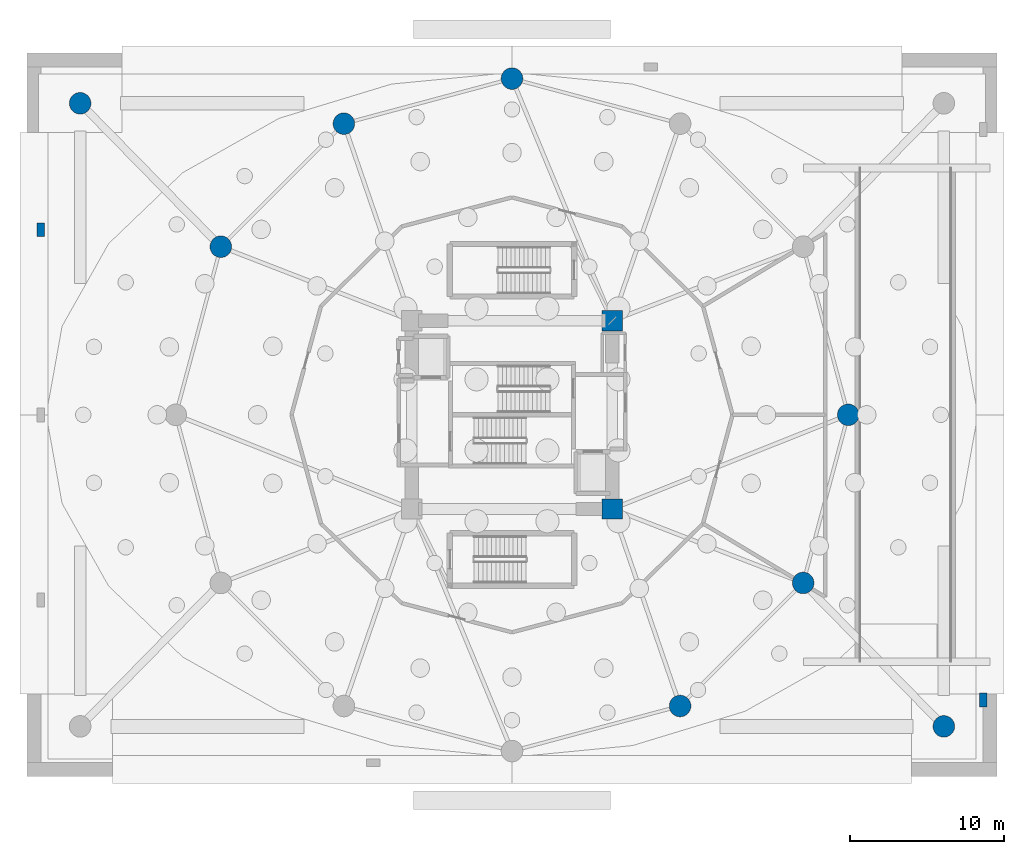
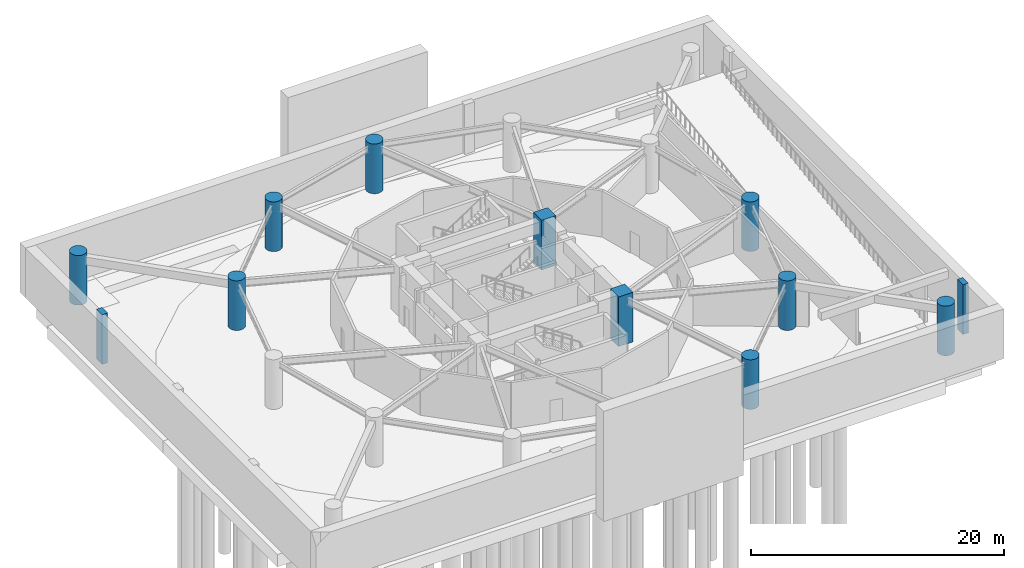
# One storey, part 3 of 12: 12 columns.
"""IFC4 building model written with IfcOpenShell, lengths in metres."""

from ifc_helpers import new_model, si_unit, direction, frame, origin, origin_2d, place, context, subcontext, project, spatial, rectangle, circle, extrude, material, material_profile, profile_set, type_object, element, save


model = new_model("IFC4")

# Units and contexts
model_context = context("Model", 3, precision=1e-05, world=origin(), true_north=direction((0.0, 1.0)))
body_context = subcontext(model_context, "Body", "Model", "MODEL_VIEW")
ifc_project = project(units=[si_unit("LENGTHUNIT", "METRE"), si_unit("AREAUNIT", "SQUARE_METRE"), si_unit("VOLUMEUNIT", "CUBIC_METRE"), si_unit("PLANEANGLEUNIT", "RADIAN"), si_unit("MASSUNIT", "GRAM", prefix="KILO")], contexts=[model_context])

# Site, building, storey
site_placement = place(None, origin())
site = spatial("IfcSite", under=ifc_project, at=site_placement, CompositionType="ELEMENT")
building_placement = place(site_placement, origin())
building = spatial("IfcBuilding", under=site, at=building_placement, Name="Solvirekh Grand Hotel", CompositionType="ELEMENT")
storey_placement = place(building_placement, frame((0.0, 0.0, -9.60009765625)))
storey = spatial("IfcBuildingStorey", under=building, at=storey_placement, Name="B02", CompositionType="ELEMENT", Elevation=-9.60009765625)

# Columns
ifc_material_1 = material(Name="Concrete C60/75", Category="concrete")
ifc_material_profile_1 = material_profile(ifc_material_1, circle(Radius=0.699951171875, at=origin_2d()), Name="RC CIRC D1400")
ifc_profile_set_1 = profile_set([ifc_material_profile_1], Name="Concrete C60/75")
column_type_1 = type_object("IfcColumnType", Name="Col_Base_D1400", PredefinedType="COLUMN", material=ifc_profile_set_1)
for number, where, z_axis, x_axis, name in (
    (1, (21.800048828125, 0.0, 0.0), (0.0, 0.0, 1.0), (1.0, 0.0, 0.0), "B02 perimeter column P01"),
    (2, (0.0, 21.800048828125, 0.0), (0.0, 0.0, 1.0), (1.0, 0.0, 0.0), "B02 perimeter column P04"),
    (3, (-10.89990234375, 18.87890625, 0.0), (0.0, 0.0, 1.0), (1.0, 0.0, 0.0), "B02 perimeter column P05"),
    (4, (-18.87890625, 10.89990234375, 0.0), (0.0, 0.0, 1.0), (1.0, 0.0, 0.0), "B02 perimeter column P06"),
    (5, (10.89990234375, -18.87890625, 0.0), (0.0, 0.0, 1.0), (1.0, 0.0, 0.0), "B02 perimeter column P11"),
    (6, (18.87890625, -10.89990234375, 0.0), (0.0, 0.0, 1.0), (1.0, 0.0, 0.0), "B02 perimeter column P12"),
    (7, (-28.0, 20.199951171875, 0.0), (0.0, 0.0, 1.0), (1.0, 0.0, 0.0), "B02 basement corner column BC-NW"),
    (8, (28.0, -20.199951171875, 0.0), (0.0, 0.0, 1.0), (1.0, 0.0, 0.0), "B02 basement corner column BC-SE"),
):
    element("IfcColumn", number, at=place(storey_placement, frame(where, z_axis=z_axis, x_axis=x_axis)), inside=storey, type_object=column_type_1, Name=name, PredefinedType="COLUMN", context=body_context, shape_type="SweptSolid", body=[
        extrude(circle(Radius=0.699951171875, at=origin_2d()), origin(), (0.0, 0.0, 1.0), 4.800048828125),
    ])
ifc_material_profile_2 = material_profile(ifc_material_1, rectangle(XDim=1.300048828125, YDim=1.300048828125, at=origin_2d()), Name="RC 1300X1300")
ifc_profile_set_2 = profile_set([ifc_material_profile_2], Name="Concrete C60/75")
column_type_2 = type_object("IfcColumnType", Name="Col_Core_1300", PredefinedType="COLUMN", material=ifc_profile_set_2)
for number, where, z_axis, x_axis, name in (
    (9, (6.5, -6.10009765625, 0.0), (0.0, 0.0, 1.0), (1.0, 0.0, 0.0), "B02 core corner column CC2"),
    (10, (6.5, 6.10009765625, 0.0), (0.0, 0.0, 1.0), (1.0, 0.0, 0.0), "B02 core corner column CC3"),
):
    element("IfcColumn", number, at=place(storey_placement, frame(where, z_axis=z_axis, x_axis=x_axis)), inside=storey, type_object=column_type_2, Name=name, PredefinedType="COLUMN", context=body_context, shape_type="SweptSolid", body=[
        extrude(rectangle(XDim=1.300048828125, YDim=1.300048828125, at=origin_2d()), origin(), (0.0, 0.0, 1.0), 4.800048828125),
    ])
ifc_material_2 = material(Name="Concrete C50/60", Category="concrete")
ifc_material_profile_3 = material_profile(ifc_material_2, rectangle(XDim=0.5, YDim=0.89990234375, at=origin_2d()), Name="RC PILASTER 900X500")
ifc_profile_set_3 = profile_set([ifc_material_profile_3], Name="Concrete C50/60")
column_type_3 = type_object("IfcColumnType", Name="Pilaster_900X500", PredefinedType="PILASTER", material=ifc_profile_set_3)
for number, where, z_axis, x_axis, name in (
    (11, (-30.550048828125, 12.0, 0.0), (0.0, 0.0, 1.0), (1.0, 0.0, 0.0), "B02 retaining wall pilaster 3"),
    (12, (30.550048828125, -18.5, 0.0), (0.0, 0.0, 1.0), (1.0, 0.0, 0.0), "B02 retaining wall pilaster 4"),
):
    element("IfcColumn", number, at=place(storey_placement, frame(where, z_axis=z_axis, x_axis=x_axis)), inside=storey, type_object=column_type_3, Name=name, PredefinedType="PILASTER", context=body_context, shape_type="SweptSolid", body=[
        extrude(rectangle(XDim=0.5, YDim=0.89990234375, at=origin_2d()), origin(), (0.0, 0.0, 1.0), 4.800048828125),
    ])

save(model, "model.ifc")
